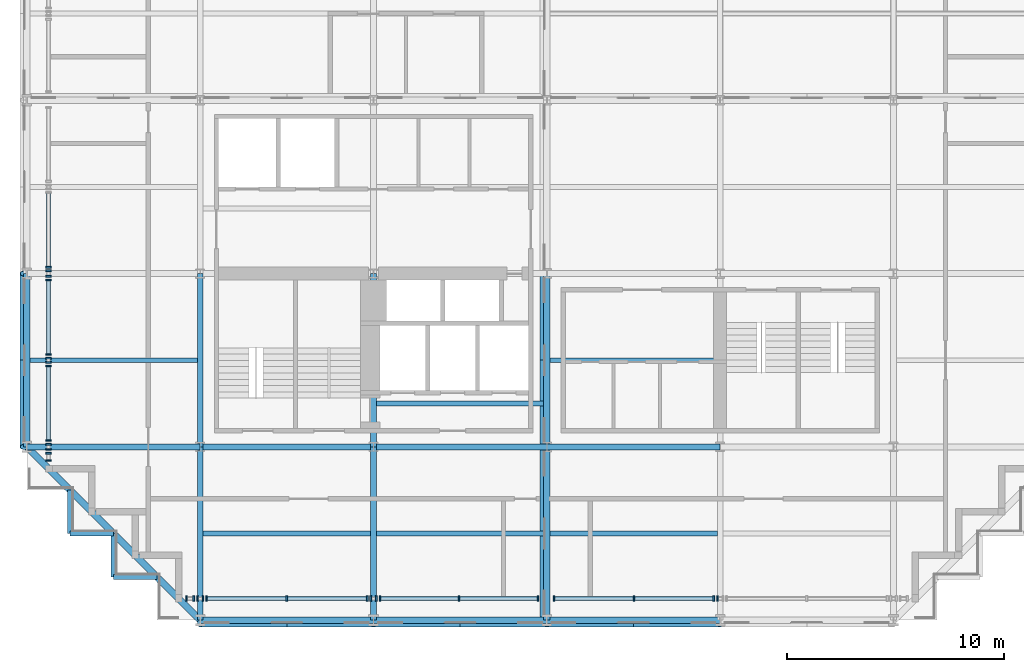
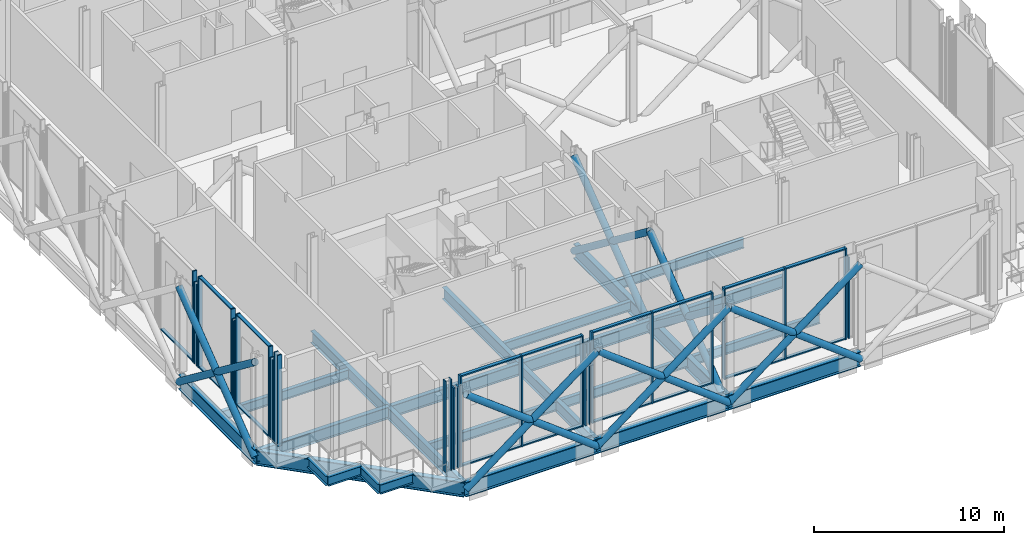
# One storey, part 2 of 25: 58 members, 25 beams, 14 elements without a shape of their own.
"""IFC4 building model written with IfcOpenShell, lengths in metres."""

import ifcopenshell
import ifcopenshell.guid

model = None  # the IFC model being written
_history = None  # IfcOwnerHistory: only IFC2X3 demands one
_inside = {}  # id of a spatial element -> (the spatial element, [elements in it])
_under = {}  # id of a project, library or spatial element -> (it, [spatial elements below it])
_declared = {}  # id of a project -> (the project, [libraries it declares])
_typed = {}  # id of a type object -> (the type object, [elements of that type])
_made_of = {}  # id of a material, layer set ... -> (it, [elements and type objects made of it])


def new_model(schema):
    """Start an empty IFC model of exactly this schema.

    Asked for "IFC4X3", IfcOpenShell would pick the latest addendum, in which some entities
    have other attributes; the version numbers below select the first issue.
    IFC2X3 requires an IfcOwnerHistory on every rooted entity: one is made here for all.
    """
    global model, _history
    if schema == "IFC4X3":
        model = ifcopenshell.file(schema_version=(4, 3, 0, 0))
    else:
        model = ifcopenshell.file(schema=schema)
    _inside.clear()
    _under.clear()
    _declared.clear()
    _typed.clear()
    _made_of.clear()
    _history = None
    if model.schema == "IFC2X3":
        org = make("IfcOrganization", Name="unknown")
        user = make(
            "IfcPersonAndOrganization",
            ThePerson=make("IfcPerson", FamilyName="unknown"),
            TheOrganization=org,
        )
        app = make(
            "IfcApplication",
            ApplicationDeveloper=org,
            Version="unknown",
            ApplicationFullName="unknown",
            ApplicationIdentifier="unknown",
        )
        _history = make(
            "IfcOwnerHistory",
            OwningUser=user,
            OwningApplication=app,
            ChangeAction="ADDED",
            CreationDate=0,
        )
    return model


def make(cls, **values):
    """One entity of the class cls with the attributes given. An attribute that is None is left unset."""
    return model.create_entity(
        cls, **{name: value for name, value in values.items() if value is not None}
    )


def rooted(cls, **values):
    """An entity with a GlobalId (a new one), such as an element, a storey or a relation."""
    return make(cls, GlobalId=ifcopenshell.guid.new(), OwnerHistory=_history, **values)


def si_unit(unit_type, name, prefix=None):
    """IfcSIUnit, for example si_unit("LENGTHUNIT", "METRE", prefix="MILLI")."""
    return make("IfcSIUnit", UnitType=unit_type, Prefix=prefix, Name=name)


def assignment(units):
    """IfcUnitAssignment: the units of a project."""
    return None if units is None else make("IfcUnitAssignment", Units=units)


def point(xyz):
    """IfcCartesianPoint."""
    return None if xyz is None else make("IfcCartesianPoint", Coordinates=xyz)


def direction(xyz):
    """IfcDirection."""
    return None if xyz is None else make("IfcDirection", DirectionRatios=xyz)


def frame(location, z_axis=None, x_axis=None):
    """IfcAxis2Placement3D, a coordinate frame: its origin and axes. An axis left out is left unset."""
    return make(
        "IfcAxis2Placement3D",
        Location=point(location),
        Axis=direction(z_axis),
        RefDirection=direction(x_axis),
    )


def frame_2d(location, x_axis=None):
    """IfcAxis2Placement2D, a coordinate frame in the plane: its origin and x axis."""
    return make(
        "IfcAxis2Placement2D", Location=point(location), RefDirection=direction(x_axis)
    )


def origin():
    """The frame at (0, 0, 0) with its axes left unset."""
    return frame((0.0, 0.0, 0.0))


def origin_2d():
    """The frame at (0, 0) in the plane with its x axis left unset."""
    return frame_2d((0.0, 0.0))


def place(relative_to, where):
    """IfcLocalPlacement: puts the frame where relative to a parent placement (None: the world)."""
    return make(
        "IfcLocalPlacement", PlacementRelTo=relative_to, RelativePlacement=where
    )


def context(
    kind, dimensions, precision=None, world=None, true_north=None, identifier=None
):
    """IfcGeometricRepresentationContext, for example the 3D "Model" context."""
    return make(
        "IfcGeometricRepresentationContext",
        ContextIdentifier=identifier,
        ContextType=kind,
        CoordinateSpaceDimension=dimensions,
        Precision=precision,
        WorldCoordinateSystem=world,
        TrueNorth=true_north,
    )


def subcontext(parent, identifier, kind, view, scale=None):
    """IfcGeometricRepresentationSubContext, for example "Body" below "Model"."""
    return make(
        "IfcGeometricRepresentationSubContext",
        ContextIdentifier=identifier,
        ContextType=kind,
        ParentContext=parent,
        TargetScale=scale,
        TargetView=view,
    )


def project(units=None, contexts=None):
    """IfcProject with its units and contexts."""
    return rooted(
        "IfcProject",
        Name="project",
        RepresentationContexts=contexts,
        UnitsInContext=assignment(units),
    )


def spatial(cls, under=None, at=None, **own):
    """A site, building, storey or space (cls), placed at a placement, below another one or the project."""
    s = rooted(cls, ObjectPlacement=at, **own)
    if under is not None:
        _under.setdefault(under.id(), (under, []))[1].append(s)
    return s


def profile(cls, at=None, kind="AREA", **sizes):
    """A parametric profile (cls). Its sizes go by their IFC names, for example OverallWidth=200.0."""
    return make(cls, ProfileType=kind, Position=at, **sizes)


def rectangle(**sizes):
    """IfcRectangleProfileDef."""
    return profile("IfcRectangleProfileDef", **sizes)


def hollow_circle(**sizes):
    """IfcCircleHollowProfileDef."""
    return profile("IfcCircleHollowProfileDef", **sizes)


def i_section(**sizes):
    """IfcIShapeProfileDef."""
    return profile("IfcIShapeProfileDef", **sizes)


def extrude(swept, where, along, depth):
    """IfcExtrudedAreaSolid: the profile swept, set in the frame where, extruded along a direction by depth."""
    return make(
        "IfcExtrudedAreaSolid",
        SweptArea=swept,
        Position=where,
        ExtrudedDirection=direction(along),
        Depth=depth,
    )


def shape(context_of_items, identifier, shape_type, items):
    """IfcShapeRepresentation: the items that make up one representation, for example the "Body"."""
    return make(
        "IfcShapeRepresentation",
        ContextOfItems=context_of_items,
        RepresentationIdentifier=identifier,
        RepresentationType=shape_type,
        Items=items,
    )


def material(Name=None, Category=None):
    """IfcMaterial."""
    return make("IfcMaterial", Name=Name, Category=Category)


def material_profile(
    of_material, cross_section, Name=None, Category=None, Priority=None
):
    """IfcMaterialProfile: a cross section and its material."""
    return make(
        "IfcMaterialProfile",
        Name=Name,
        Material=of_material,
        Profile=cross_section,
        Priority=Priority,
        Category=Category,
    )


def profile_set(profiles, Name=None, composite=None):
    """IfcMaterialProfileSet."""
    return make(
        "IfcMaterialProfileSet",
        Name=Name,
        MaterialProfiles=profiles,
        CompositeProfile=composite,
    )


def made_of(thing, what):
    """Note that an element or type object is made of a material, layer set ...; save() writes the relation."""
    if what is not None:
        _made_of.setdefault(what.id(), (what, []))[1].append(thing)
    return thing


def type_object(cls, material=None, **own):
    """A type object (cls), such as IfcWallType, which elements share."""
    return made_of(rooted(cls, **own), material)


def element(
    cls,
    number,
    at=None,
    inside=None,
    cuts=None,
    type_object=None,
    material=None,
    context=None,
    identifier="Body",
    shape_type=None,
    held_by="IfcProductDefinitionShape",
    body=None,
    shapes=None,
    **own,
):
    """One element of the class cls, such as IfcWall. Its Tag is "e" and its number.

    at: its placement. inside: the storey or other place that contains it. cuts: it is an
    opening in that element (IfcRelVoidsElement). A single representation is given by context,
    identifier, shape_type and body (its items); several are given by shapes. held_by: the class
    of the entity that holds the representations. save() writes the other relations.
    """
    e = rooted(cls, Tag="e%d" % number, ObjectPlacement=at, **own)
    if body is not None:
        shapes = [shape(context, identifier, shape_type, body)]
    if shapes is not None:
        e.Representation = make(held_by, Representations=shapes)
    if inside is not None:
        _inside.setdefault(inside.id(), (inside, []))[1].append(e)
    if cuts is not None:
        rooted(
            "IfcRelVoidsElement", RelatingBuildingElement=cuts, RelatedOpeningElement=e
        )
    if type_object is not None:
        _typed.setdefault(type_object.id(), (type_object, []))[1].append(e)
    return made_of(e, material)


def aggregate(whole, parts):
    """IfcRelAggregates: a whole, such as a stair, and the parts it consists of."""
    return rooted("IfcRelAggregates", RelatingObject=whole, RelatedObjects=parts)


def save(model, path):
    """Write the relations noted so far, then the file.

    IfcRelAggregates (storeys below a building ...), IfcRelContainedInSpatialStructure (elements
    in a storey), IfcRelDefinesByType, IfcRelAssociatesMaterial and IfcRelDeclares: one each for
    every whole, place, type object, material and project.
    """
    for whole, parts in _under.values():
        aggregate(whole, parts)
    for where, things in _inside.values():
        rooted(
            "IfcRelContainedInSpatialStructure",
            RelatedElements=things,
            RelatingStructure=where,
        )
    for kind, things in _typed.values():
        rooted("IfcRelDefinesByType", RelatedObjects=things, RelatingType=kind)
    for what, things in _made_of.values():
        rooted("IfcRelAssociatesMaterial", RelatedObjects=things, RelatingMaterial=what)
    for by, libraries in _declared.values():
        rooted("IfcRelDeclares", RelatingContext=by, RelatedDefinitions=libraries)
    model.write(path)


model = new_model("IFC4")

# Units and contexts
model_context = context("Model", 3, precision=1e-05, world=origin(), true_north=direction((0.0, 1.0)))
body_context = subcontext(model_context, "Body", "Model", "MODEL_VIEW")
ifc_project = project(units=[si_unit("LENGTHUNIT", "METRE"), si_unit("AREAUNIT", "SQUARE_METRE"), si_unit("VOLUMEUNIT", "CUBIC_METRE"), si_unit("PLANEANGLEUNIT", "RADIAN"), si_unit("MASSUNIT", "GRAM", prefix="KILO")], contexts=[model_context])

# Site, building, storey
site_placement = place(None, origin())
site = spatial("IfcSite", under=ifc_project, at=site_placement, CompositionType="ELEMENT")
building_placement = place(site_placement, origin())
building = spatial("IfcBuilding", under=site, at=building_placement, Name="Immortelle Media Tower", CompositionType="ELEMENT")
storey_placement = place(building_placement, frame((0.0, 0.0, 114.0)))
storey = spatial("IfcBuildingStorey", under=building, at=storey_placement, Name="L22", CompositionType="ELEMENT", Elevation=114.0)

# Members
ifc_material_1 = material(Name="Steel ASTM A500 Gr C", Category="steel")
ifc_material_profile_1 = material_profile(ifc_material_1, hollow_circle(Radius=0.202880859375, WallThickness=0.011962890625, at=origin_2d()), Name="HSS16.000x0.500 truss diagonal")
ifc_profile_set_1 = profile_set([ifc_material_profile_1], Name="Steel ASTM A500 Gr C")
member_type_1 = type_object("IfcMemberType", Name="HSS16.000x0.500 truss diagonal", PredefinedType="BRACE", material=ifc_profile_set_1)
for number, where, z_axis, x_axis, name in (
    (1, (-0.113037109375, 8.0, -0.72509765625), (0.0, 0.794648909693, 0.607069279674), (-1.0, 0.0, 0.0), "Belt truss 1/B-C A"),
    (2, (-0.113037109375, 8.0, 5.386474609375), (0.0, 0.794648909693, -0.607069279674), (-1.0, 0.0, 0.0), "Belt truss 1/B-C B"),
    (3, (8.0, -0.113037109375, -0.72509765625), (0.794648909693, 0.0, 0.607069279674), (0.0, 1.0, 0.0), "Belt truss A/2-3 A"),
    (4, (8.0, -0.113037109375, 5.386474609375), (0.794648909693, 0.0, -0.607069279674), (0.0, 1.0, 0.0), "Belt truss A/2-3 B"),
    (5, (16.0, -0.113037109375, -0.72509765625), (0.794648909693, 0.0, 0.607069279674), (0.0, 1.0, 0.0), "Belt truss A/3-4 A"),
    (6, (16.0, -0.113037109375, 5.386474609375), (0.794648909693, 0.0, -0.607069279674), (0.0, 1.0, 0.0), "Belt truss A/3-4 B"),
    (7, (24.0, -0.113037109375, -0.72509765625), (0.794648909693, 0.0, 0.607069279674), (0.0, 1.0, 0.0), "Belt truss A/4-5 A"),
    (8, (24.0, -0.113037109375, 5.386474609375), (0.794648909693, 0.0, -0.607069279674), (0.0, 1.0, 0.0), "Belt truss A/4-5 B"),
    (9, (23.886962890625, 0.0, -0.72509765625), (0.0, 0.794648909693, 0.607069279674), (-1.0, 0.0, 0.0), "Belt truss 4/A-B A"),
    (10, (23.886962890625, 0.0, 5.386474609375), (0.0, 0.794648909693, -0.607069279674), (-1.0, 0.0, 0.0), "Belt truss 4/A-B B"),
    (11, (23.886962890625, 8.0, -0.72509765625), (0.0, 0.794648909693, 0.607069279674), (-1.0, 0.0, 0.0), "Belt truss 4/B-C A"),
    (12, (23.886962890625, 8.0, 5.386474609375), (0.0, 0.794648909693, -0.607069279674), (-1.0, 0.0, 0.0), "Belt truss 4/B-C B"),
):
    element("IfcMember", number, at=place(storey_placement, frame(where, z_axis=z_axis, x_axis=x_axis)), inside=storey, type_object=member_type_1, Name=name, PredefinedType="BRACE", context=body_context, shape_type="SweptSolid", body=[
        extrude(hollow_circle(Radius=0.202880859375, WallThickness=0.011962890625, at=origin_2d()), origin(), (0.0, 0.0, 1.0), 10.0673828125),
    ])

# Curtain wall, members
ifc_material_2 = material(Name="Aluminium curtain wall system", Category="aluminium")
curtain_wall_type = type_object("IfcCurtainWallType", Name="Plant louvre wall curtain wall", PredefinedType="NOTDEFINED", material=ifc_material_2)
curtain_wall_1_placement = place(storey_placement, origin())
curtain_wall_1 = element("IfcCurtainWall", 13, at=curtain_wall_1_placement, inside=storey, type_object=curtain_wall_type, Name="Plant louvre wall L22 S 7-2", PredefinedType="NOTDEFINED")
ifc_material_3 = material(Name="Aluminium 6063-T6", Category="aluminium")
ifc_material_profile_2 = material_profile(ifc_material_3, rectangle(XDim=0.25, YDim=0.080078125, at=origin_2d()), Name="AL 80x250")
ifc_profile_set_2 = profile_set([ifc_material_profile_2], Name="Aluminium 6063-T6")
member_type_2 = type_object("IfcMemberType", Name="Plant louvre wall mullion 80 x 250", PredefinedType="MULLION", material=ifc_profile_set_2)
member_1_placement = place(storey_placement, frame((7.368896484375, 1.0, 0.0), z_axis=(0.0, 0.0, 1.0), x_axis=(0.0, 1.0, 0.0)))
member_1 = element("IfcMember", 14, at=member_1_placement, type_object=member_type_2, Name="CW6 mullion 1", PredefinedType="MULLION", context=body_context, shape_type="SweptSolid", body=[
    extrude(rectangle(XDim=0.25, YDim=0.080078125, at=origin_2d()), origin(), (0.0, 0.0, 1.0), 5.849609375),
])
member_2_placement = place(storey_placement, frame((7.70556640625, 1.0, 0.0), z_axis=(0.0, 0.0, 1.0), x_axis=(0.0, 1.0, 0.0)))
member_2 = element("IfcMember", 15, at=member_2_placement, type_object=member_type_2, Name="CW6 mullion 2", PredefinedType="MULLION", context=body_context, shape_type="SweptSolid", body=[
    extrude(rectangle(XDim=0.25, YDim=0.080078125, at=origin_2d()), origin(), (0.0, 0.0, 1.0), 5.849609375),
])
aggregate(curtain_wall_1, [member_1, member_2])

curtain_wall_2_placement = place(storey_placement, origin())
curtain_wall_2 = element("IfcCurtainWall", 16, at=curtain_wall_2_placement, inside=storey, type_object=curtain_wall_type, Name="Plant louvre wall L22 S 7-3", PredefinedType="NOTDEFINED")
member_3_placement = place(storey_placement, frame((7.87548828125, 1.0, 0.0), z_axis=(0.0, 0.0, 1.0), x_axis=(0.0, 1.0, 0.0)))
member_3 = element("IfcMember", 17, at=member_3_placement, type_object=member_type_2, Name="CW6 mullion 1", PredefinedType="MULLION", context=body_context, shape_type="SweptSolid", body=[
    extrude(rectangle(XDim=0.25, YDim=0.080078125, at=origin_2d()), origin(), (0.0, 0.0, 1.0), 5.237548828125),
])
member_4_placement = place(storey_placement, frame((8.12451171875, 1.0, 0.0), z_axis=(0.0, 0.0, 1.0), x_axis=(0.0, 1.0, 0.0)))
member_4 = element("IfcMember", 18, at=member_4_placement, type_object=member_type_2, Name="CW6 mullion 2", PredefinedType="MULLION", context=body_context, shape_type="SweptSolid", body=[
    extrude(rectangle(XDim=0.25, YDim=0.080078125, at=origin_2d()), origin(), (0.0, 0.0, 1.0), 5.237548828125),
])
aggregate(curtain_wall_2, [member_3, member_4])

curtain_wall_3_placement = place(storey_placement, origin())
curtain_wall_3 = element("IfcCurtainWall", 19, at=curtain_wall_3_placement, inside=storey, type_object=curtain_wall_type, Name="Plant louvre wall L22 S 7-4", PredefinedType="NOTDEFINED")
member_5_placement = place(storey_placement, frame((8.29443359375, 1.0, 0.0), z_axis=(0.0, 0.0, 1.0), x_axis=(0.0, 1.0, 0.0)))
member_5 = element("IfcMember", 20, at=member_5_placement, type_object=member_type_2, Name="CW6 mullion 1", PredefinedType="MULLION", context=body_context, shape_type="SweptSolid", body=[
    extrude(rectangle(XDim=0.25, YDim=0.080078125, at=origin_2d()), origin(), (0.0, 0.0, 1.0), 5.849609375),
])
member_6_placement = place(storey_placement, frame((12.0, 1.0, 0.0), z_axis=(0.0, 0.0, 1.0), x_axis=(0.0, 1.0, 0.0)))
member_6 = element("IfcMember", 21, at=member_6_placement, type_object=member_type_2, Name="CW6 mullion 2", PredefinedType="MULLION", context=body_context, shape_type="SweptSolid", body=[
    extrude(rectangle(XDim=0.25, YDim=0.080078125, at=origin_2d()), origin(), (0.0, 0.0, 1.0), 5.849609375),
])
member_7_placement = place(storey_placement, frame((15.70556640625, 1.0, 0.0), z_axis=(0.0, 0.0, 1.0), x_axis=(0.0, 1.0, 0.0)))
member_7 = element("IfcMember", 22, at=member_7_placement, type_object=member_type_2, Name="CW6 mullion 3", PredefinedType="MULLION", context=body_context, shape_type="SweptSolid", body=[
    extrude(rectangle(XDim=0.25, YDim=0.080078125, at=origin_2d()), origin(), (0.0, 0.0, 1.0), 5.849609375),
])

curtain_wall_4_placement = place(storey_placement, origin())
curtain_wall_4 = element("IfcCurtainWall", 23, at=curtain_wall_4_placement, inside=storey, type_object=curtain_wall_type, Name="Plant louvre wall L22 S 7-5", PredefinedType="NOTDEFINED")
member_8_placement = place(storey_placement, frame((15.87548828125, 1.0, 0.0), z_axis=(0.0, 0.0, 1.0), x_axis=(0.0, 1.0, 0.0)))
member_8 = element("IfcMember", 24, at=member_8_placement, type_object=member_type_2, Name="CW6 mullion 1", PredefinedType="MULLION", context=body_context, shape_type="SweptSolid", body=[
    extrude(rectangle(XDim=0.25, YDim=0.080078125, at=origin_2d()), origin(), (0.0, 0.0, 1.0), 5.237548828125),
])
member_9_placement = place(storey_placement, frame((16.12451171875, 1.0, 0.0), z_axis=(0.0, 0.0, 1.0), x_axis=(0.0, 1.0, 0.0)))
member_9 = element("IfcMember", 25, at=member_9_placement, type_object=member_type_2, Name="CW6 mullion 2", PredefinedType="MULLION", context=body_context, shape_type="SweptSolid", body=[
    extrude(rectangle(XDim=0.25, YDim=0.080078125, at=origin_2d()), origin(), (0.0, 0.0, 1.0), 5.237548828125),
])
aggregate(curtain_wall_4, [member_8, member_9])

curtain_wall_5_placement = place(storey_placement, origin())
curtain_wall_5 = element("IfcCurtainWall", 26, at=curtain_wall_5_placement, inside=storey, type_object=curtain_wall_type, Name="Plant louvre wall L22 S 7-6", PredefinedType="NOTDEFINED")
member_10_placement = place(storey_placement, frame((16.29443359375, 1.0, 0.0), z_axis=(0.0, 0.0, 1.0), x_axis=(0.0, 1.0, 0.0)))
member_10 = element("IfcMember", 27, at=member_10_placement, type_object=member_type_2, Name="CW6 mullion 1", PredefinedType="MULLION", context=body_context, shape_type="SweptSolid", body=[
    extrude(rectangle(XDim=0.25, YDim=0.080078125, at=origin_2d()), origin(), (0.0, 0.0, 1.0), 5.849609375),
])
member_11_placement = place(storey_placement, frame((19.9443359375, 1.0, 0.0), z_axis=(0.0, 0.0, 1.0), x_axis=(0.0, 1.0, 0.0)))
member_11 = element("IfcMember", 28, at=member_11_placement, type_object=member_type_2, Name="CW6 mullion 2", PredefinedType="MULLION", context=body_context, shape_type="SweptSolid", body=[
    extrude(rectangle(XDim=0.25, YDim=0.080078125, at=origin_2d()), origin(), (0.0, 0.0, 1.0), 5.849609375),
])
member_12_placement = place(storey_placement, frame((23.593994140625, 1.0, 0.0), z_axis=(0.0, 0.0, 1.0), x_axis=(0.0, 1.0, 0.0)))
member_12 = element("IfcMember", 29, at=member_12_placement, type_object=member_type_2, Name="CW6 mullion 3", PredefinedType="MULLION", context=body_context, shape_type="SweptSolid", body=[
    extrude(rectangle(XDim=0.25, YDim=0.080078125, at=origin_2d()), origin(), (0.0, 0.0, 1.0), 5.849609375),
])

curtain_wall_6_placement = place(storey_placement, origin())
curtain_wall_6 = element("IfcCurtainWall", 30, at=curtain_wall_6_placement, inside=storey, type_object=curtain_wall_type, Name="Plant louvre wall L22 S 7-7", PredefinedType="NOTDEFINED")
member_13_placement = place(storey_placement, frame((24.33349609375, 1.0, 0.0), z_axis=(0.0, 0.0, 1.0), x_axis=(0.0, 1.0, 0.0)))
member_13 = element("IfcMember", 31, at=member_13_placement, type_object=member_type_2, Name="CW6 mullion 1", PredefinedType="MULLION", context=body_context, shape_type="SweptSolid", body=[
    extrude(rectangle(XDim=0.25, YDim=0.080078125, at=origin_2d()), origin(), (0.0, 0.0, 1.0), 5.849609375),
])
member_14_placement = place(storey_placement, frame((28.01953125, 1.0, 0.0), z_axis=(0.0, 0.0, 1.0), x_axis=(0.0, 1.0, 0.0)))
member_14 = element("IfcMember", 32, at=member_14_placement, type_object=member_type_2, Name="CW6 mullion 2", PredefinedType="MULLION", context=body_context, shape_type="SweptSolid", body=[
    extrude(rectangle(XDim=0.25, YDim=0.080078125, at=origin_2d()), origin(), (0.0, 0.0, 1.0), 5.849609375),
])
member_15_placement = place(storey_placement, frame((31.70556640625, 1.0, 0.0), z_axis=(0.0, 0.0, 1.0), x_axis=(0.0, 1.0, 0.0)))
member_15 = element("IfcMember", 33, at=member_15_placement, type_object=member_type_2, Name="CW6 mullion 3", PredefinedType="MULLION", context=body_context, shape_type="SweptSolid", body=[
    extrude(rectangle(XDim=0.25, YDim=0.080078125, at=origin_2d()), origin(), (0.0, 0.0, 1.0), 5.849609375),
])

# Curtain wall, member
curtain_wall_7_placement = place(storey_placement, origin())
curtain_wall_7 = element("IfcCurtainWall", 34, at=curtain_wall_7_placement, inside=storey, type_object=curtain_wall_type, Name="Plant louvre wall L22 S 7-8", PredefinedType="NOTDEFINED")
member_16_placement = place(storey_placement, frame((31.87548828125, 1.0, 0.0), z_axis=(0.0, 0.0, 1.0), x_axis=(0.0, 1.0, 0.0)))
member_16 = element("IfcMember", 35, at=member_16_placement, type_object=member_type_2, Name="CW6 mullion 1", PredefinedType="MULLION", context=body_context, shape_type="SweptSolid", body=[
    extrude(rectangle(XDim=0.25, YDim=0.080078125, at=origin_2d()), origin(), (0.0, 0.0, 1.0), 5.237548828125),
])
aggregate(curtain_wall_7, [member_16])

curtain_wall_8_placement = place(storey_placement, origin())
curtain_wall_8 = element("IfcCurtainWall", 36, at=curtain_wall_8_placement, inside=storey, type_object=curtain_wall_type, Name="Plant louvre wall L22 W 28-13", PredefinedType="NOTDEFINED")
member_17_placement = place(storey_placement, frame((1.0, 16.29443359375, 0.0), z_axis=(0.0, 0.0, 1.0), x_axis=(1.0, 0.0, 0.0)))
member_17 = element("IfcMember", 37, at=member_17_placement, type_object=member_type_2, Name="CW6 mullion 2", PredefinedType="MULLION", context=body_context, shape_type="SweptSolid", body=[
    extrude(rectangle(XDim=0.25, YDim=0.080078125, at=origin_2d()), origin(), (0.0, 0.0, 1.0), 5.849609375),
])

# Curtain wall, members
curtain_wall_9_placement = place(storey_placement, origin())
curtain_wall_9 = element("IfcCurtainWall", 38, at=curtain_wall_9_placement, inside=storey, type_object=curtain_wall_type, Name="Plant louvre wall L22 W 28-14", PredefinedType="NOTDEFINED")
member_18_placement = place(storey_placement, frame((1.0, 16.12451171875, 0.0), z_axis=(0.0, 0.0, 1.0), x_axis=(1.0, 0.0, 0.0)))
member_18 = element("IfcMember", 39, at=member_18_placement, type_object=member_type_2, Name="CW6 mullion 1", PredefinedType="MULLION", context=body_context, shape_type="SweptSolid", body=[
    extrude(rectangle(XDim=0.25, YDim=0.080078125, at=origin_2d()), origin(), (0.0, 0.0, 1.0), 5.237548828125),
])
member_19_placement = place(storey_placement, frame((1.0, 15.87548828125, 0.0), z_axis=(0.0, 0.0, 1.0), x_axis=(1.0, 0.0, 0.0)))
member_19 = element("IfcMember", 40, at=member_19_placement, type_object=member_type_2, Name="CW6 mullion 2", PredefinedType="MULLION", context=body_context, shape_type="SweptSolid", body=[
    extrude(rectangle(XDim=0.25, YDim=0.080078125, at=origin_2d()), origin(), (0.0, 0.0, 1.0), 5.237548828125),
])
aggregate(curtain_wall_9, [member_18, member_19])

curtain_wall_10_placement = place(storey_placement, origin())
curtain_wall_10 = element("IfcCurtainWall", 41, at=curtain_wall_10_placement, inside=storey, type_object=curtain_wall_type, Name="Plant louvre wall L22 W 28-15", PredefinedType="NOTDEFINED")
member_20_placement = place(storey_placement, frame((1.0, 15.70556640625, 0.0), z_axis=(0.0, 0.0, 1.0), x_axis=(1.0, 0.0, 0.0)))
member_20 = element("IfcMember", 42, at=member_20_placement, type_object=member_type_2, Name="CW6 mullion 1", PredefinedType="MULLION", context=body_context, shape_type="SweptSolid", body=[
    extrude(rectangle(XDim=0.25, YDim=0.080078125, at=origin_2d()), origin(), (0.0, 0.0, 1.0), 5.849609375),
])
member_21_placement = place(storey_placement, frame((1.0, 12.262451171875, 0.0), z_axis=(0.0, 0.0, 1.0), x_axis=(1.0, 0.0, 0.0)))
member_21 = element("IfcMember", 43, at=member_21_placement, type_object=member_type_2, Name="CW6 mullion 2", PredefinedType="MULLION", context=body_context, shape_type="SweptSolid", body=[
    extrude(rectangle(XDim=0.25, YDim=0.080078125, at=origin_2d()), origin(), (0.0, 0.0, 1.0), 5.849609375),
])

curtain_wall_11_placement = place(storey_placement, origin())
curtain_wall_11 = element("IfcCurtainWall", 44, at=curtain_wall_11_placement, inside=storey, type_object=curtain_wall_type, Name="Plant louvre wall L22 W 28-16", PredefinedType="NOTDEFINED")
member_22_placement = place(storey_placement, frame((1.0, 12.092529296875, 0.0), z_axis=(0.0, 0.0, 1.0), x_axis=(1.0, 0.0, 0.0)))
member_22 = element("IfcMember", 45, at=member_22_placement, type_object=member_type_2, Name="CW6 mullion 1", PredefinedType="MULLION", context=body_context, shape_type="SweptSolid", body=[
    extrude(rectangle(XDim=0.25, YDim=0.080078125, at=origin_2d()), origin(), (0.0, 0.0, 1.0), 5.323486328125),
])
member_23_placement = place(storey_placement, frame((1.0, 11.907470703125, 0.0), z_axis=(0.0, 0.0, 1.0), x_axis=(1.0, 0.0, 0.0)))
member_23 = element("IfcMember", 46, at=member_23_placement, type_object=member_type_2, Name="CW6 mullion 2", PredefinedType="MULLION", context=body_context, shape_type="SweptSolid", body=[
    extrude(rectangle(XDim=0.25, YDim=0.080078125, at=origin_2d()), origin(), (0.0, 0.0, 1.0), 5.323486328125),
])
aggregate(curtain_wall_11, [member_22, member_23])

curtain_wall_12_placement = place(storey_placement, origin())
curtain_wall_12 = element("IfcCurtainWall", 47, at=curtain_wall_12_placement, inside=storey, type_object=curtain_wall_type, Name="Plant louvre wall L22 W 28-17", PredefinedType="NOTDEFINED")
member_24_placement = place(storey_placement, frame((1.0, 11.737548828125, 0.0), z_axis=(0.0, 0.0, 1.0), x_axis=(1.0, 0.0, 0.0)))
member_24 = element("IfcMember", 48, at=member_24_placement, type_object=member_type_2, Name="CW6 mullion 1", PredefinedType="MULLION", context=body_context, shape_type="SweptSolid", body=[
    extrude(rectangle(XDim=0.25, YDim=0.080078125, at=origin_2d()), origin(), (0.0, 0.0, 1.0), 5.849609375),
])
member_25_placement = place(storey_placement, frame((1.0, 8.29443359375, 0.0), z_axis=(0.0, 0.0, 1.0), x_axis=(1.0, 0.0, 0.0)))
member_25 = element("IfcMember", 49, at=member_25_placement, type_object=member_type_2, Name="CW6 mullion 2", PredefinedType="MULLION", context=body_context, shape_type="SweptSolid", body=[
    extrude(rectangle(XDim=0.25, YDim=0.080078125, at=origin_2d()), origin(), (0.0, 0.0, 1.0), 5.849609375),
])

curtain_wall_13_placement = place(storey_placement, origin())
curtain_wall_13 = element("IfcCurtainWall", 50, at=curtain_wall_13_placement, inside=storey, type_object=curtain_wall_type, Name="Plant louvre wall L22 W 28-18", PredefinedType="NOTDEFINED")
member_26_placement = place(storey_placement, frame((1.0, 8.12451171875, 0.0), z_axis=(0.0, 0.0, 1.0), x_axis=(1.0, 0.0, 0.0)))
member_26 = element("IfcMember", 51, at=member_26_placement, type_object=member_type_2, Name="CW6 mullion 1", PredefinedType="MULLION", context=body_context, shape_type="SweptSolid", body=[
    extrude(rectangle(XDim=0.25, YDim=0.080078125, at=origin_2d()), origin(), (0.0, 0.0, 1.0), 5.237548828125),
])
member_27_placement = place(storey_placement, frame((1.0, 7.87548828125, 0.0), z_axis=(0.0, 0.0, 1.0), x_axis=(1.0, 0.0, 0.0)))
member_27 = element("IfcMember", 52, at=member_27_placement, type_object=member_type_2, Name="CW6 mullion 2", PredefinedType="MULLION", context=body_context, shape_type="SweptSolid", body=[
    extrude(rectangle(XDim=0.25, YDim=0.080078125, at=origin_2d()), origin(), (0.0, 0.0, 1.0), 5.237548828125),
])
aggregate(curtain_wall_13, [member_26, member_27])

curtain_wall_14_placement = place(storey_placement, origin())
curtain_wall_14 = element("IfcCurtainWall", 53, at=curtain_wall_14_placement, inside=storey, type_object=curtain_wall_type, Name="Plant louvre wall L22 W 28-19", PredefinedType="NOTDEFINED")
member_28_placement = place(storey_placement, frame((1.0, 7.70556640625, 0.0), z_axis=(0.0, 0.0, 1.0), x_axis=(1.0, 0.0, 0.0)))
member_28 = element("IfcMember", 54, at=member_28_placement, type_object=member_type_2, Name="CW6 mullion 1", PredefinedType="MULLION", context=body_context, shape_type="SweptSolid", body=[
    extrude(rectangle(XDim=0.25, YDim=0.080078125, at=origin_2d()), origin(), (0.0, 0.0, 1.0), 5.849609375),
])
member_29_placement = place(storey_placement, frame((1.0, 7.368896484375, 0.0), z_axis=(0.0, 0.0, 1.0), x_axis=(1.0, 0.0, 0.0)))
member_29 = element("IfcMember", 55, at=member_29_placement, type_object=member_type_2, Name="CW6 mullion 2", PredefinedType="MULLION", context=body_context, shape_type="SweptSolid", body=[
    extrude(rectangle(XDim=0.25, YDim=0.080078125, at=origin_2d()), origin(), (0.0, 0.0, 1.0), 5.849609375),
])
aggregate(curtain_wall_14, [member_28, member_29])

# Member
ifc_material_profile_3 = material_profile(ifc_material_3, rectangle(XDim=0.199951171875, YDim=0.080078125, at=origin_2d()), Name="AL 80x200")
ifc_profile_set_3 = profile_set([ifc_material_profile_3], Name="Aluminium 6063-T6")
member_type_3 = type_object("IfcMemberType", Name="Plant louvre wall transom 80 x 200", PredefinedType="USERDEFINED", material=ifc_profile_set_3)
member_30_placement = place(storey_placement, frame((8.33447265625, 1.0, 0.0400390625), z_axis=(1.0, 0.0, 0.0), x_axis=(0.0, 1.0, 0.0)))
member_30 = element("IfcMember", 56, at=member_30_placement, type_object=member_type_3, Name="CW6 transom 1.1", ObjectType="TRANSOM", PredefinedType="USERDEFINED", context=body_context, shape_type="SweptSolid", body=[
    extrude(rectangle(XDim=0.199951171875, YDim=0.080078125, at=origin_2d()), origin(), (0.0, 0.0, 1.0), 3.62548828125),
])

member_31_placement = place(storey_placement, frame((8.33447265625, 1.0, 5.8095703125), z_axis=(1.0, 0.0, 0.0), x_axis=(0.0, 1.0, 0.0)))
member_31 = element("IfcMember", 57, at=member_31_placement, type_object=member_type_3, Name="CW6 transom 1.2", ObjectType="TRANSOM", PredefinedType="USERDEFINED", context=body_context, shape_type="SweptSolid", body=[
    extrude(rectangle(XDim=0.199951171875, YDim=0.080078125, at=origin_2d()), origin(), (0.0, 0.0, 1.0), 3.62548828125),
])

member_32_placement = place(storey_placement, frame((12.0400390625, 1.0, 0.0400390625), z_axis=(1.0, 0.0, 0.0), x_axis=(0.0, 1.0, 0.0)))
member_32 = element("IfcMember", 58, at=member_32_placement, type_object=member_type_3, Name="CW6 transom 2.1", ObjectType="TRANSOM", PredefinedType="USERDEFINED", context=body_context, shape_type="SweptSolid", body=[
    extrude(rectangle(XDim=0.199951171875, YDim=0.080078125, at=origin_2d()), origin(), (0.0, 0.0, 1.0), 3.62548828125),
])

member_33_placement = place(storey_placement, frame((12.0400390625, 1.0, 5.8095703125), z_axis=(1.0, 0.0, 0.0), x_axis=(0.0, 1.0, 0.0)))
member_33 = element("IfcMember", 59, at=member_33_placement, type_object=member_type_3, Name="CW6 transom 2.2", ObjectType="TRANSOM", PredefinedType="USERDEFINED", context=body_context, shape_type="SweptSolid", body=[
    extrude(rectangle(XDim=0.199951171875, YDim=0.080078125, at=origin_2d()), origin(), (0.0, 0.0, 1.0), 3.62548828125),
])

aggregate(curtain_wall_3, [member_5, member_6, member_7, member_30, member_31, member_32, member_33])

member_34_placement = place(storey_placement, frame((16.33447265625, 1.0, 0.0400390625), z_axis=(1.0, 0.0, 0.0), x_axis=(0.0, 1.0, 0.0)))
member_34 = element("IfcMember", 60, at=member_34_placement, type_object=member_type_3, Name="CW6 transom 1.1", ObjectType="TRANSOM", PredefinedType="USERDEFINED", context=body_context, shape_type="SweptSolid", body=[
    extrude(rectangle(XDim=0.199951171875, YDim=0.080078125, at=origin_2d()), origin(), (0.0, 0.0, 1.0), 3.56982421875),
])

member_35_placement = place(storey_placement, frame((16.33447265625, 1.0, 5.8095703125), z_axis=(1.0, 0.0, 0.0), x_axis=(0.0, 1.0, 0.0)))
member_35 = element("IfcMember", 61, at=member_35_placement, type_object=member_type_3, Name="CW6 transom 1.2", ObjectType="TRANSOM", PredefinedType="USERDEFINED", context=body_context, shape_type="SweptSolid", body=[
    extrude(rectangle(XDim=0.199951171875, YDim=0.080078125, at=origin_2d()), origin(), (0.0, 0.0, 1.0), 3.56982421875),
])

member_36_placement = place(storey_placement, frame((19.984130859375, 1.0, 0.0400390625), z_axis=(1.0, 0.0, 0.0), x_axis=(0.0, 1.0, 0.0)))
member_36 = element("IfcMember", 62, at=member_36_placement, type_object=member_type_3, Name="CW6 transom 2.1", ObjectType="TRANSOM", PredefinedType="USERDEFINED", context=body_context, shape_type="SweptSolid", body=[
    extrude(rectangle(XDim=0.199951171875, YDim=0.080078125, at=origin_2d()), origin(), (0.0, 0.0, 1.0), 3.56982421875),
])

member_37_placement = place(storey_placement, frame((19.984130859375, 1.0, 5.8095703125), z_axis=(1.0, 0.0, 0.0), x_axis=(0.0, 1.0, 0.0)))
member_37 = element("IfcMember", 63, at=member_37_placement, type_object=member_type_3, Name="CW6 transom 2.2", ObjectType="TRANSOM", PredefinedType="USERDEFINED", context=body_context, shape_type="SweptSolid", body=[
    extrude(rectangle(XDim=0.199951171875, YDim=0.080078125, at=origin_2d()), origin(), (0.0, 0.0, 1.0), 3.56982421875),
])

aggregate(curtain_wall_5, [member_10, member_11, member_12, member_34, member_35, member_36, member_37])

member_38_placement = place(storey_placement, frame((24.37353515625, 1.0, 0.0400390625), z_axis=(1.0, 0.0, 0.0), x_axis=(0.0, 1.0, 0.0)))
member_38 = element("IfcMember", 64, at=member_38_placement, type_object=member_type_3, Name="CW6 transom 1.1", ObjectType="TRANSOM", PredefinedType="USERDEFINED", context=body_context, shape_type="SweptSolid", body=[
    extrude(rectangle(XDim=0.199951171875, YDim=0.080078125, at=origin_2d()), origin(), (0.0, 0.0, 1.0), 3.60595703125),
])

member_39_placement = place(storey_placement, frame((24.37353515625, 1.0, 5.8095703125), z_axis=(1.0, 0.0, 0.0), x_axis=(0.0, 1.0, 0.0)))
member_39 = element("IfcMember", 65, at=member_39_placement, type_object=member_type_3, Name="CW6 transom 1.2", ObjectType="TRANSOM", PredefinedType="USERDEFINED", context=body_context, shape_type="SweptSolid", body=[
    extrude(rectangle(XDim=0.199951171875, YDim=0.080078125, at=origin_2d()), origin(), (0.0, 0.0, 1.0), 3.60595703125),
])

member_40_placement = place(storey_placement, frame((28.0595703125, 1.0, 0.0400390625), z_axis=(1.0, 0.0, 0.0), x_axis=(0.0, 1.0, 0.0)))
member_40 = element("IfcMember", 66, at=member_40_placement, type_object=member_type_3, Name="CW6 transom 2.1", ObjectType="TRANSOM", PredefinedType="USERDEFINED", context=body_context, shape_type="SweptSolid", body=[
    extrude(rectangle(XDim=0.199951171875, YDim=0.080078125, at=origin_2d()), origin(), (0.0, 0.0, 1.0), 3.60595703125),
])

member_41_placement = place(storey_placement, frame((28.0595703125, 1.0, 5.8095703125), z_axis=(1.0, 0.0, 0.0), x_axis=(0.0, 1.0, 0.0)))
member_41 = element("IfcMember", 67, at=member_41_placement, type_object=member_type_3, Name="CW6 transom 2.2", ObjectType="TRANSOM", PredefinedType="USERDEFINED", context=body_context, shape_type="SweptSolid", body=[
    extrude(rectangle(XDim=0.199951171875, YDim=0.080078125, at=origin_2d()), origin(), (0.0, 0.0, 1.0), 3.60595703125),
])

aggregate(curtain_wall_6, [member_13, member_14, member_15, member_38, member_39, member_40, member_41])

member_42_placement = place(storey_placement, frame((1.0, 19.697509765625, 0.0400390625), z_axis=(0.0, -1.0, 0.0), x_axis=(1.0, 0.0, 0.0)))
member_42 = element("IfcMember", 68, at=member_42_placement, type_object=member_type_3, Name="CW6 transom 1.1", ObjectType="TRANSOM", PredefinedType="USERDEFINED", context=body_context, shape_type="SweptSolid", body=[
    extrude(rectangle(XDim=0.199951171875, YDim=0.080078125, at=origin_2d()), origin(), (0.0, 0.0, 1.0), 3.363037109375),
])

aggregate(curtain_wall_8, [member_17, member_42])

member_43_placement = place(storey_placement, frame((1.0, 15.66552734375, 0.0400390625), z_axis=(0.0, -1.0, 0.0), x_axis=(1.0, 0.0, 0.0)))
member_43 = element("IfcMember", 69, at=member_43_placement, type_object=member_type_3, Name="CW6 transom 1.1", ObjectType="TRANSOM", PredefinedType="USERDEFINED", context=body_context, shape_type="SweptSolid", body=[
    extrude(rectangle(XDim=0.199951171875, YDim=0.080078125, at=origin_2d()), origin(), (0.0, 0.0, 1.0), 3.363037109375),
])

member_44_placement = place(storey_placement, frame((1.0, 15.66552734375, 5.8095703125), z_axis=(0.0, -1.0, 0.0), x_axis=(1.0, 0.0, 0.0)))
member_44 = element("IfcMember", 70, at=member_44_placement, type_object=member_type_3, Name="CW6 transom 1.2", ObjectType="TRANSOM", PredefinedType="USERDEFINED", context=body_context, shape_type="SweptSolid", body=[
    extrude(rectangle(XDim=0.199951171875, YDim=0.080078125, at=origin_2d()), origin(), (0.0, 0.0, 1.0), 3.363037109375),
])

aggregate(curtain_wall_10, [member_20, member_21, member_43, member_44])

member_45_placement = place(storey_placement, frame((1.0, 11.697509765625, 0.0400390625), z_axis=(0.0, -1.0, 0.0), x_axis=(1.0, 0.0, 0.0)))
member_45 = element("IfcMember", 71, at=member_45_placement, type_object=member_type_3, Name="CW6 transom 1.1", ObjectType="TRANSOM", PredefinedType="USERDEFINED", context=body_context, shape_type="SweptSolid", body=[
    extrude(rectangle(XDim=0.199951171875, YDim=0.080078125, at=origin_2d()), origin(), (0.0, 0.0, 1.0), 3.363037109375),
])

member_46_placement = place(storey_placement, frame((1.0, 11.697509765625, 5.8095703125), z_axis=(0.0, -1.0, 0.0), x_axis=(1.0, 0.0, 0.0)))
member_46 = element("IfcMember", 72, at=member_46_placement, type_object=member_type_3, Name="CW6 transom 1.2", ObjectType="TRANSOM", PredefinedType="USERDEFINED", context=body_context, shape_type="SweptSolid", body=[
    extrude(rectangle(XDim=0.199951171875, YDim=0.080078125, at=origin_2d()), origin(), (0.0, 0.0, 1.0), 3.363037109375),
])

aggregate(curtain_wall_12, [member_24, member_25, member_45, member_46])

# Beams
ifc_material_4 = material(Name="Steel ASTM A992 Gr 50", Category="steel")
ifc_material_profile_4 = material_profile(ifc_material_4, i_section(OverallWidth=0.22802734375, OverallDepth=0.60205078125, WebThickness=0.010986328125, FlangeThickness=0.014892578125, at=origin_2d()), Name="W24x68")
ifc_profile_set_4 = profile_set([ifc_material_profile_4], Name="Steel ASTM A992 Gr 50")
beam_type_1 = type_object("IfcBeamType", Name="W24x68 secondary beam", PredefinedType="JOIST", material=ifc_profile_set_4)
beam_1_placement = place(storey_placement, frame((8.133544921875, 4.0, -0.551025390625), z_axis=(1.0, 0.0, 0.0), x_axis=(0.0, 1.0, 0.0)))
element("IfcBeam", 73, at=beam_1_placement, inside=storey, type_object=beam_type_1, Name="Beam A-B/2-3", PredefinedType="JOIST", context=body_context, shape_type="SweptSolid", body=[
    extrude(i_section(OverallWidth=0.22802734375, OverallDepth=0.60205078125, WebThickness=0.010986328125, FlangeThickness=0.014892578125, at=origin_2d()), origin(), (0.0, 0.0, 1.0), 7.73291015625),
])
for number, where, z_axis, x_axis, name in (
    (74, (16.133544921875, 4.0, -0.551025390625), (1.0, 0.0, 0.0), (0.0, 1.0, 0.0), "Beam A-B/3-4"),
    (75, (24.155029296875, 4.0, -0.551025390625), (1.0, 0.0, 0.0), (0.0, 1.0, 0.0), "Beam A-B/4-5"),
    (76, (0.155029296875, 12.0, -0.551025390625), (1.0, 0.0, 0.0), (0.0, 1.0, 0.0), "Beam B-C/1-2"),
    (77, (16.133544921875, 10.0, -0.551025390625), (1.0, 0.0, 0.0), (0.0, 1.0, 0.0), "Beam B-C/3-4"),
    (78, (24.155029296875, 12.0, -0.551025390625), (1.0, 0.0, 0.0), (0.0, 1.0, 0.0), "Beam B-C/4-5"),
):
    element("IfcBeam", number, at=place(storey_placement, frame(where, z_axis=z_axis, x_axis=x_axis)), inside=storey, type_object=beam_type_1, Name=name, PredefinedType="JOIST", context=body_context, shape_type="SweptSolid", body=[
        extrude(i_section(OverallWidth=0.22802734375, OverallDepth=0.60205078125, WebThickness=0.010986328125, FlangeThickness=0.014892578125, at=origin_2d()), origin(), (0.0, 0.0, 1.0), 7.71142578125),
    ])
ifc_material_profile_5 = material_profile(ifc_material_4, i_section(OverallWidth=0.22802734375, OverallDepth=0.60205078125, WebThickness=0.010986328125, FlangeThickness=0.014892578125, at=origin_2d()), Name="W24x68")
ifc_profile_set_5 = profile_set([ifc_material_profile_5], Name="Steel ASTM A992 Gr 50")
beam_type_2 = type_object("IfcBeamType", Name="W24x68 serration edge beam", PredefinedType="SPANDREL", material=ifc_profile_set_5)
for number, where, z_axis, x_axis, name in (
    (79, (6.0, 2.0, -0.551025390625), (-1.0, 0.0, 0.0), (0.0, -1.0, 0.0), "Corner edge beam 1 at 1/A"),
    (80, (4.0, 2.0, -0.551025390625), (0.0, 1.0, 0.0), (-1.0, 0.0, 0.0), "Corner edge beam 2 at 1/A"),
    (81, (4.0, 4.0, -0.551025390625), (-1.0, 0.0, 0.0), (0.0, -1.0, 0.0), "Corner edge beam 3 at 1/A"),
    (82, (2.0, 4.0, -0.551025390625), (0.0, 1.0, 0.0), (-1.0, 0.0, 0.0), "Corner edge beam 4 at 1/A"),
):
    element("IfcBeam", number, at=place(storey_placement, frame(where, z_axis=z_axis, x_axis=x_axis)), inside=storey, type_object=beam_type_2, Name=name, PredefinedType="SPANDREL", context=body_context, shape_type="SweptSolid", body=[
        extrude(i_section(OverallWidth=0.22802734375, OverallDepth=0.60205078125, WebThickness=0.010986328125, FlangeThickness=0.014892578125, at=origin_2d()), origin(), (0.0, 0.0, 1.0), 2.0),
    ])
ifc_material_profile_6 = material_profile(ifc_material_4, i_section(OverallWidth=0.26708984375, OverallDepth=0.761962890625, WebThickness=0.013916015625, FlangeThickness=0.02197265625, at=origin_2d()), Name="W30x116")
ifc_profile_set_6 = profile_set([ifc_material_profile_6], Name="Steel ASTM A992 Gr 50")
beam_type_3 = type_object("IfcBeamType", Name="W30x116 girder", PredefinedType="BEAM", material=ifc_profile_set_6)
for number, where, z_axis, x_axis, name in (
    (83, (0.0, 8.0, -0.631103515625), (1.0, 0.0, 0.0), (0.0, 1.0, 0.0), "Girder B/1-2"),
    (84, (8.0, 0.0, -0.631103515625), (0.0, 1.0, 0.0), (-1.0, 0.0, 0.0), "Girder 2/A-B"),
    (85, (8.0, 8.0, -0.631103515625), (1.0, 0.0, 0.0), (0.0, 1.0, 0.0), "Girder B/2-3"),
    (86, (8.0, 8.0, -0.631103515625), (0.0, 1.0, 0.0), (-1.0, 0.0, 0.0), "Girder 2/B-C"),
    (87, (16.0, 0.0, -0.631103515625), (0.0, 1.0, 0.0), (-1.0, 0.0, 0.0), "Girder 3/A-B"),
    (88, (16.0, 8.0, -0.631103515625), (1.0, 0.0, 0.0), (0.0, 1.0, 0.0), "Girder B/3-4"),
    (89, (16.0, 8.0, -0.631103515625), (0.0, 1.0, 0.0), (-1.0, 0.0, 0.0), "Girder 3/B-C"),
    (90, (24.0, 8.0, -0.631103515625), (1.0, 0.0, 0.0), (0.0, 1.0, 0.0), "Girder B/4-5"),
):
    element("IfcBeam", number, at=place(storey_placement, frame(where, z_axis=z_axis, x_axis=x_axis)), inside=storey, type_object=beam_type_3, Name=name, PredefinedType="BEAM", context=body_context, shape_type="SweptSolid", body=[
        extrude(i_section(OverallWidth=0.26708984375, OverallDepth=0.761962890625, WebThickness=0.013916015625, FlangeThickness=0.02197265625, at=origin_2d()), origin(), (0.0, 0.0, 1.0), 8.0),
    ])
ifc_material_profile_7 = material_profile(ifc_material_4, i_section(OverallWidth=0.31005859375, OverallDepth=0.949951171875, WebThickness=0.02392578125, FlangeThickness=0.0439453125, at=origin_2d()), Name="W36x256")
ifc_profile_set_7 = profile_set([ifc_material_profile_7], Name="Steel ASTM A992 Gr 50")
beam_type_4 = type_object("IfcBeamType", Name="W36x256 corner girder", PredefinedType="SPANDREL", material=ifc_profile_set_7)
beam_2_placement = place(storey_placement, frame((8.0, 0.0, -0.72509765625), z_axis=(-0.707106781187, 0.707106781187, 0.0), x_axis=(-0.707106781187, -0.707106781187, 0.0)))
element("IfcBeam", 91, at=beam_2_placement, inside=storey, type_object=beam_type_4, Name="Corner girder at 1/A", PredefinedType="SPANDREL", context=body_context, shape_type="SweptSolid", body=[
    extrude(i_section(OverallWidth=0.31005859375, OverallDepth=0.949951171875, WebThickness=0.02392578125, FlangeThickness=0.0439453125, at=origin_2d()), origin(), (0.0, 0.0, 1.0), 11.313720703125),
])
ifc_material_profile_8 = material_profile(ifc_material_4, i_section(OverallWidth=0.31005859375, OverallDepth=0.949951171875, WebThickness=0.02392578125, FlangeThickness=0.0439453125, at=origin_2d()), Name="W36x256")
ifc_profile_set_8 = profile_set([ifc_material_profile_8], Name="Steel ASTM A992 Gr 50")
beam_type_5 = type_object("IfcBeamType", Name="W36x256 perimeter girder", PredefinedType="SPANDREL", material=ifc_profile_set_8)
for number, where, z_axis, x_axis, name in (
    (92, (0.0, 8.0, -0.72509765625), (0.0, 1.0, 0.0), (-1.0, 0.0, 0.0), "Girder 1/B-C"),
    (93, (8.0, 0.0, -0.72509765625), (1.0, 0.0, 0.0), (0.0, 1.0, 0.0), "Girder A/2-3"),
    (94, (16.0, 0.0, -0.72509765625), (1.0, 0.0, 0.0), (0.0, 1.0, 0.0), "Girder A/3-4"),
    (95, (24.0, 0.0, -0.72509765625), (1.0, 0.0, 0.0), (0.0, 1.0, 0.0), "Girder A/4-5"),
    (96, (24.0, 0.0, -0.72509765625), (0.0, 1.0, 0.0), (-1.0, 0.0, 0.0), "Girder 4/A-B"),
    (97, (24.0, 8.0, -0.72509765625), (0.0, 1.0, 0.0), (-1.0, 0.0, 0.0), "Girder 4/B-C"),
):
    element("IfcBeam", number, at=place(storey_placement, frame(where, z_axis=z_axis, x_axis=x_axis)), inside=storey, type_object=beam_type_5, Name=name, PredefinedType="SPANDREL", context=body_context, shape_type="SweptSolid", body=[
        extrude(i_section(OverallWidth=0.31005859375, OverallDepth=0.949951171875, WebThickness=0.02392578125, FlangeThickness=0.0439453125, at=origin_2d()), origin(), (0.0, 0.0, 1.0), 8.0),
    ])

save(model, "model.ifc")
